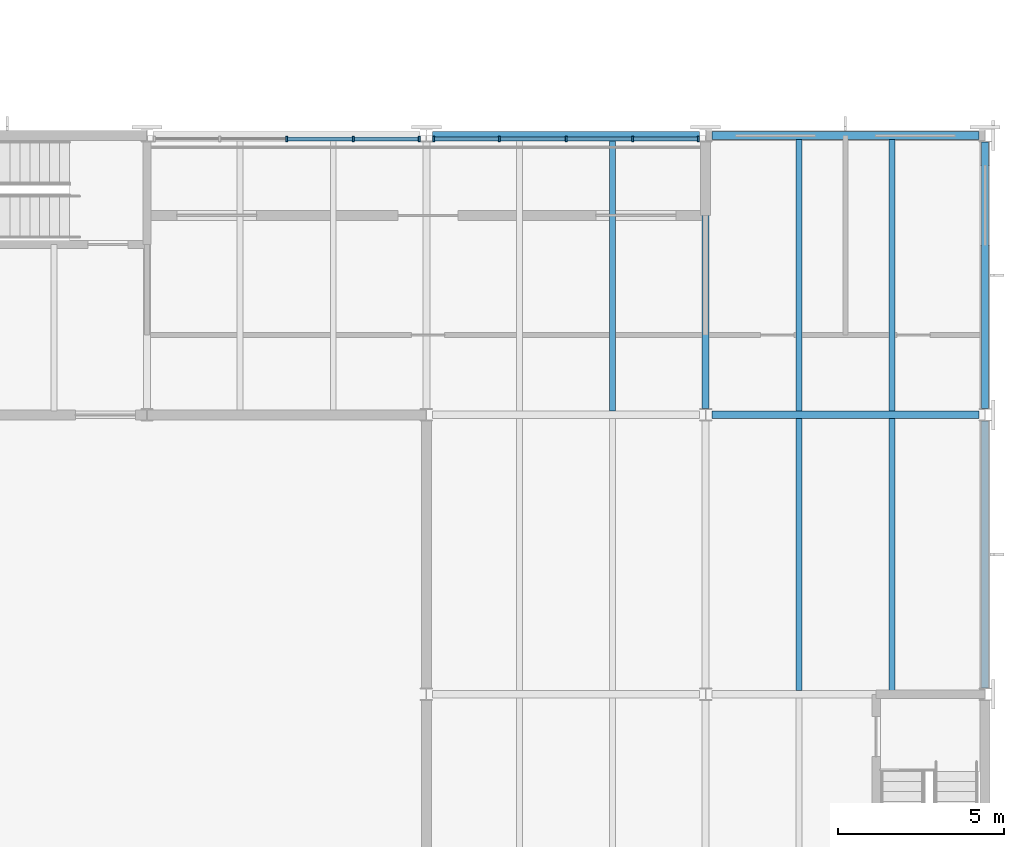
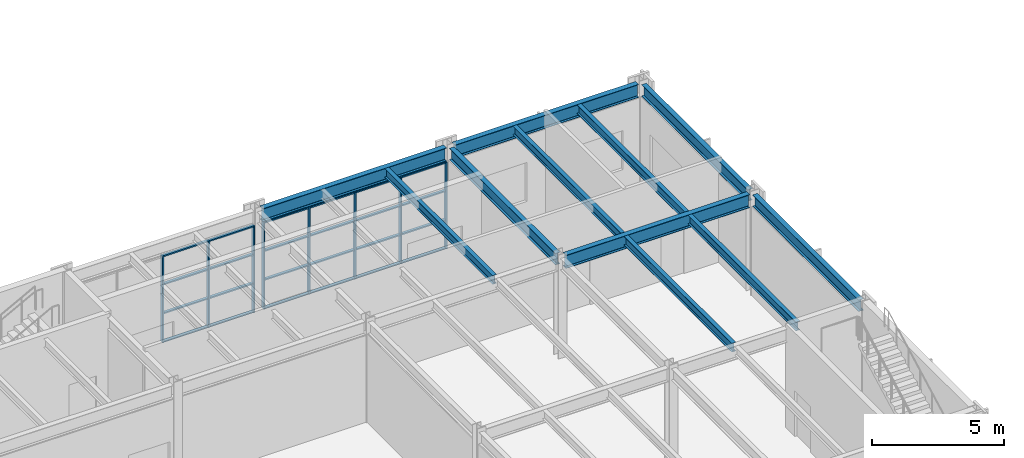
# One storey, part 53 of 127: 32 members, 11 beams, 2 elements without a shape of their own.
"""IFC4 building model written with IfcOpenShell, lengths in metres."""

from ifc_helpers import new_model, si_unit, direction, frame, origin, origin_2d, place, context, subcontext, project, spatial, rectangle, i_section, extrude, material, material_profile, profile_set, type_object, element, aggregate, save


model = new_model("IFC4")

# Units and contexts
model_context = context("Model", 3, precision=1e-05, world=origin(), true_north=direction((0.0, 1.0)))
body_context = subcontext(model_context, "Body", "Model", "MODEL_VIEW")
ifc_project = project(units=[si_unit("LENGTHUNIT", "METRE"), si_unit("AREAUNIT", "SQUARE_METRE"), si_unit("VOLUMEUNIT", "CUBIC_METRE"), si_unit("PLANEANGLEUNIT", "RADIAN"), si_unit("MASSUNIT", "GRAM", prefix="KILO")], contexts=[model_context])

# Site, building, storey
site_placement = place(None, origin())
site = spatial("IfcSite", under=ifc_project, at=site_placement, CompositionType="ELEMENT")
building_placement = place(site_placement, origin())
building = spatial("IfcBuilding", under=site, at=building_placement, Name="Ljudholm Concert House", CompositionType="ELEMENT")
storey_placement = place(building_placement, frame((0.0, 0.0, 5.39990234375)))
storey = spatial("IfcBuildingStorey", under=building, at=storey_placement, Name="L01", CompositionType="ELEMENT", Elevation=5.39990234375)

# Curtain wall, members
ifc_material_1 = material(Name="Aluminium curtain wall with fixed aluminium storm louvre blades, timber-grain finish", Category="aluminium")
curtain_wall_type = type_object("IfcCurtainWallType", Name="CURTAIN WALL 2000", PredefinedType="NOTDEFINED", material=ifc_material_1)
curtain_wall_1_placement = place(storey_placement, origin())
curtain_wall_1 = element("IfcCurtainWall", 1, at=curtain_wall_1_placement, inside=storey, type_object=curtain_wall_type, Name="Storm louvre screen", PredefinedType="NOTDEFINED")
ifc_material_2 = material(Name="Aluminium extrusion", Category="aluminium")
ifc_material_profile_1 = material_profile(ifc_material_2, rectangle(XDim=0.159912109375, YDim=0.06005859375, at=origin_2d()), Name="MULLION 60x160")
ifc_profile_set_1 = profile_set([ifc_material_profile_1], Name="Aluminium extrusion")
member_type_1 = type_object("IfcMemberType", Name="MULLION 60x160", PredefinedType="MULLION", material=ifc_profile_set_1)
member_1_placement = place(storey_placement, frame((100.60009765625, 129.89990234375, 0.0), z_axis=(0.0, 0.0, 1.0), x_axis=(0.0, 1.0, 0.0)))
member_1 = element("IfcMember", 2, at=member_1_placement, type_object=member_type_1, Name="Mullion", PredefinedType="MULLION", context=body_context, shape_type="SweptSolid", body=[
    extrude(rectangle(XDim=0.159912109375, YDim=0.06005859375, at=origin_2d()), origin(), (0.0, 0.0, 1.0), 4.008056640625),
])
member_2_placement = place(storey_placement, frame((102.60498046875, 129.89990234375, 0.0), z_axis=(0.0, 0.0, 1.0), x_axis=(0.0, 1.0, 0.0)))
member_2 = element("IfcMember", 3, at=member_2_placement, type_object=member_type_1, Name="Mullion", PredefinedType="MULLION", context=body_context, shape_type="SweptSolid", body=[
    extrude(rectangle(XDim=0.159912109375, YDim=0.06005859375, at=origin_2d()), origin(), (0.0, 0.0, 1.0), 4.008056640625),
])
member_3_placement = place(storey_placement, frame((104.580078125, 129.89990234375, 0.0), z_axis=(0.0, 0.0, 1.0), x_axis=(0.0, 1.0, 0.0)))
member_3 = element("IfcMember", 4, at=member_3_placement, type_object=member_type_1, Name="Mullion", PredefinedType="MULLION", context=body_context, shape_type="SweptSolid", body=[
    extrude(rectangle(XDim=0.159912109375, YDim=0.06005859375, at=origin_2d()), origin(), (0.0, 0.0, 1.0), 4.008056640625),
])

curtain_wall_2_placement = place(storey_placement, origin())
curtain_wall_2 = element("IfcCurtainWall", 5, at=curtain_wall_2_placement, inside=storey, type_object=curtain_wall_type, Name="Storm louvre screen", PredefinedType="NOTDEFINED")
member_4_placement = place(storey_placement, frame((105.02001953125, 129.89990234375, 0.0), z_axis=(0.0, 0.0, 1.0), x_axis=(0.0, 1.0, 0.0)))
member_4 = element("IfcMember", 6, at=member_4_placement, type_object=member_type_1, Name="Mullion", PredefinedType="MULLION", context=body_context, shape_type="SweptSolid", body=[
    extrude(rectangle(XDim=0.159912109375, YDim=0.06005859375, at=origin_2d()), origin(), (0.0, 0.0, 1.0), 4.008056640625),
])
member_5_placement = place(storey_placement, frame((106.9951171875, 129.89990234375, 0.0), z_axis=(0.0, 0.0, 1.0), x_axis=(0.0, 1.0, 0.0)))
member_5 = element("IfcMember", 7, at=member_5_placement, type_object=member_type_1, Name="Mullion", PredefinedType="MULLION", context=body_context, shape_type="SweptSolid", body=[
    extrude(rectangle(XDim=0.159912109375, YDim=0.06005859375, at=origin_2d()), origin(), (0.0, 0.0, 1.0), 4.008056640625),
])
member_6_placement = place(storey_placement, frame((109.0, 129.89990234375, 0.0), z_axis=(0.0, 0.0, 1.0), x_axis=(0.0, 1.0, 0.0)))
member_6 = element("IfcMember", 8, at=member_6_placement, type_object=member_type_1, Name="Mullion", PredefinedType="MULLION", context=body_context, shape_type="SweptSolid", body=[
    extrude(rectangle(XDim=0.159912109375, YDim=0.06005859375, at=origin_2d()), origin(), (0.0, 0.0, 1.0), 4.008056640625),
])
member_7_placement = place(storey_placement, frame((111.0048828125, 129.89990234375, 0.0), z_axis=(0.0, 0.0, 1.0), x_axis=(0.0, 1.0, 0.0)))
member_7 = element("IfcMember", 9, at=member_7_placement, type_object=member_type_1, Name="Mullion", PredefinedType="MULLION", context=body_context, shape_type="SweptSolid", body=[
    extrude(rectangle(XDim=0.159912109375, YDim=0.06005859375, at=origin_2d()), origin(), (0.0, 0.0, 1.0), 4.008056640625),
])
member_8_placement = place(storey_placement, frame((112.97998046875, 129.89990234375, 0.0), z_axis=(0.0, 0.0, 1.0), x_axis=(0.0, 1.0, 0.0)))
member_8 = element("IfcMember", 10, at=member_8_placement, type_object=member_type_1, Name="Mullion", PredefinedType="MULLION", context=body_context, shape_type="SweptSolid", body=[
    extrude(rectangle(XDim=0.159912109375, YDim=0.06005859375, at=origin_2d()), origin(), (0.0, 0.0, 1.0), 4.008056640625),
])

# Beams
ifc_material_3 = material(Name="Steel ASTM A992", Category="steel")
ifc_material_profile_2 = material_profile(ifc_material_3, i_section(OverallWidth=0.177734375, OverallDepth=0.406494140625, WebThickness=0.0078125, FlangeThickness=0.012939453125, FilletRadius=0.01025390625, at=origin_2d()), Name="W16X40")
ifc_profile_set_2 = profile_set([ifc_material_profile_2], Name="Steel ASTM A992")
beam_type_1 = type_object("IfcBeamType", Name="STEEL BEAM W16X40", PredefinedType="BEAM", material=ifc_profile_set_2)
for number, where, z_axis, x_axis, name in (
    (11, (110.39990234375, 121.714599609375, 4.4169921875), (0.0, 1.0, 0.0), (-1.0, 0.0, 0.0), "Beam STUDIO-L02-sb-110.4-121.6"),
    (12, (116.0, 113.314453125, 4.4169921875), (0.0, 1.0, 0.0), (-1.0, 0.0, 0.0), "Beam STUDIO-L02-sb-116-113.2"),
    (13, (118.800048828125, 113.314453125, 4.4169921875), (0.0, 1.0, 0.0), (-1.0, 0.0, 0.0), "Beam STUDIO-L02-sb-118.8-113.2"),
    (14, (116.0, 121.714599609375, 4.4169921875), (0.0, 1.0, 0.0), (-1.0, 0.0, 0.0), "Beam STUDIO-L02-sb-116-121.6"),
    (15, (118.800048828125, 121.714599609375, 4.4169921875), (0.0, 1.0, 0.0), (-1.0, 0.0, 0.0), "Beam STUDIO-L02-sb-118.8-121.6"),
):
    element("IfcBeam", number, at=place(storey_placement, frame(where, z_axis=z_axis, x_axis=x_axis)), inside=storey, type_object=beam_type_1, Name=name, PredefinedType="BEAM", context=body_context, shape_type="SweptSolid", body=[
        extrude(i_section(OverallWidth=0.177734375, OverallDepth=0.406494140625, WebThickness=0.0078125, FlangeThickness=0.012939453125, FilletRadius=0.01025390625, at=origin_2d()), origin(), (0.0, 0.0, 1.0), 8.1708984375),
    ])
ifc_material_4 = material(Name="Steel ASTM A992", Category="steel")
ifc_material_profile_3 = material_profile(ifc_material_4, i_section(OverallWidth=0.209228515625, OverallDepth=0.533447265625, WebThickness=0.01025390625, FlangeThickness=0.015625, FilletRadius=0.012939453125, at=origin_2d()), Name="W21X62")
ifc_profile_set_3 = profile_set([ifc_material_profile_3], Name="Steel ASTM A992")
beam_type_2 = type_object("IfcBeamType", Name="STEEL BEAM W21X62", PredefinedType="BEAM", material=ifc_profile_set_3)
for number, where, z_axis, x_axis, name in (
    (16, (113.199951171875, 121.78662109375, 4.353515625), (0.0, 1.0, 0.0), (-1.0, 0.0, 0.0), "Beam STUDIO-L02-gy-113.2-121.6"),
    (17, (121.60009765625, 113.38671875, 4.353515625), (0.0, 1.0, 0.0), (-1.0, 0.0, 0.0), "Beam STUDIO-L02-gy-121.6-113.2"),
    (18, (121.60009765625, 121.78662109375, 4.353515625), (0.0, 1.0, 0.0), (-1.0, 0.0, 0.0), "Beam STUDIO-L02-gy-121.6-121.6"),
):
    element("IfcBeam", number, at=place(storey_placement, frame(where, z_axis=z_axis, x_axis=x_axis)), inside=storey, type_object=beam_type_2, Name=name, PredefinedType="BEAM", context=body_context, shape_type="SweptSolid", body=[
        extrude(i_section(OverallWidth=0.209228515625, OverallDepth=0.533447265625, WebThickness=0.01025390625, FlangeThickness=0.015625, FilletRadius=0.012939453125, at=origin_2d()), origin(), (0.0, 0.0, 1.0), 8.026611328125),
    ])
ifc_material_5 = material(Name="Steel ASTM A992", Category="steel")
ifc_material_profile_4 = material_profile(ifc_material_5, i_section(OverallWidth=0.22900390625, OverallDepth=0.612060546875, WebThickness=0.011962890625, FlangeThickness=0.01953125, FilletRadius=0.0126953125, at=origin_2d()), Name="W24X84")
ifc_profile_set_4 = profile_set([ifc_material_profile_4], Name="Steel ASTM A992")
beam_type_3 = type_object("IfcBeamType", Name="STEEL BEAM W24X84", PredefinedType="BEAM", material=ifc_profile_set_4)
beam_1_placement = place(storey_placement, frame((113.38671875, 121.60009765625, 4.31396484375), z_axis=(1.0, 0.0, 0.0), x_axis=(0.0, 1.0, 0.0)))
element("IfcBeam", 19, at=beam_1_placement, inside=storey, type_object=beam_type_3, Name="Beam STUDIO-L02-gx-113.2-121.6", PredefinedType="BEAM", context=body_context, shape_type="SweptSolid", body=[
    extrude(i_section(OverallWidth=0.22900390625, OverallDepth=0.612060546875, WebThickness=0.011962890625, FlangeThickness=0.01953125, FilletRadius=0.0126953125, at=origin_2d()), origin(), (0.0, 0.0, 1.0), 8.026611328125),
])
beam_2_placement = place(storey_placement, frame((104.986572265625, 130.0, 4.31396484375), z_axis=(1.0, 0.0, 0.0), x_axis=(0.0, 1.0, 0.0)))
element("IfcBeam", 20, at=beam_2_placement, inside=storey, type_object=beam_type_3, Name="Beam STUDIO-L02-gx-104.8-130", PredefinedType="BEAM", context=body_context, shape_type="SweptSolid", body=[
    extrude(i_section(OverallWidth=0.22900390625, OverallDepth=0.612060546875, WebThickness=0.011962890625, FlangeThickness=0.01953125, FilletRadius=0.0126953125, at=origin_2d()), origin(), (0.0, 0.0, 1.0), 8.02685546875),
])
beam_3_placement = place(storey_placement, frame((113.38671875, 130.0, 4.31396484375), z_axis=(1.0, 0.0, 0.0), x_axis=(0.0, 1.0, 0.0)))
element("IfcBeam", 21, at=beam_3_placement, inside=storey, type_object=beam_type_3, Name="Beam STUDIO-L02-gx-113.2-130", PredefinedType="BEAM", context=body_context, shape_type="SweptSolid", body=[
    extrude(i_section(OverallWidth=0.22900390625, OverallDepth=0.612060546875, WebThickness=0.011962890625, FlangeThickness=0.01953125, FilletRadius=0.0126953125, at=origin_2d()), origin(), (0.0, 0.0, 1.0), 8.026611328125),
])

# Member
ifc_material_6 = material(Name="Aluminium extrusion", Category="aluminium")
ifc_material_profile_5 = material_profile(ifc_material_6, rectangle(XDim=0.1201171875, YDim=0.06005859375, at=origin_2d()), Name="TRANSOM 60x120")
ifc_profile_set_5 = profile_set([ifc_material_profile_5], Name="Aluminium extrusion")
member_type_2 = type_object("IfcMemberType", Name="TRANSOM 60x120", PredefinedType="USERDEFINED", material=ifc_profile_set_5)
member_9_placement = place(storey_placement, frame((100.6298828125, 129.89990234375, 0.030029296875), z_axis=(1.0, 0.0, 0.0), x_axis=(0.0, 1.0, 0.0)))
member_9 = element("IfcMember", 22, at=member_9_placement, type_object=member_type_2, Name="Transom", ObjectType="TRANSOM", PredefinedType="USERDEFINED", context=body_context, shape_type="SweptSolid", body=[
    extrude(rectangle(XDim=0.1201171875, YDim=0.06005859375, at=origin_2d()), origin(), (0.0, 0.0, 1.0), 1.945068359375),
])

member_10_placement = place(storey_placement, frame((100.6298828125, 129.89990234375, 1.3359375), z_axis=(1.0, 0.0, 0.0), x_axis=(0.0, 1.0, 0.0)))
member_10 = element("IfcMember", 23, at=member_10_placement, type_object=member_type_2, Name="Transom", ObjectType="TRANSOM", PredefinedType="USERDEFINED", context=body_context, shape_type="SweptSolid", body=[
    extrude(rectangle(XDim=0.1201171875, YDim=0.06005859375, at=origin_2d()), origin(), (0.0, 0.0, 1.0), 1.945068359375),
])

member_11_placement = place(storey_placement, frame((100.6298828125, 129.89990234375, 2.672119140625), z_axis=(1.0, 0.0, 0.0), x_axis=(0.0, 1.0, 0.0)))
member_11 = element("IfcMember", 24, at=member_11_placement, type_object=member_type_2, Name="Transom", ObjectType="TRANSOM", PredefinedType="USERDEFINED", context=body_context, shape_type="SweptSolid", body=[
    extrude(rectangle(XDim=0.1201171875, YDim=0.06005859375, at=origin_2d()), origin(), (0.0, 0.0, 1.0), 1.945068359375),
])

member_12_placement = place(storey_placement, frame((100.6298828125, 129.89990234375, 3.97802734375), z_axis=(1.0, 0.0, 0.0), x_axis=(0.0, 1.0, 0.0)))
member_12 = element("IfcMember", 25, at=member_12_placement, type_object=member_type_2, Name="Transom", ObjectType="TRANSOM", PredefinedType="USERDEFINED", context=body_context, shape_type="SweptSolid", body=[
    extrude(rectangle(XDim=0.1201171875, YDim=0.06005859375, at=origin_2d()), origin(), (0.0, 0.0, 1.0), 1.945068359375),
])

member_13_placement = place(storey_placement, frame((102.635009765625, 129.89990234375, 0.030029296875), z_axis=(1.0, 0.0, 0.0), x_axis=(0.0, 1.0, 0.0)))
member_13 = element("IfcMember", 26, at=member_13_placement, type_object=member_type_2, Name="Transom", ObjectType="TRANSOM", PredefinedType="USERDEFINED", context=body_context, shape_type="SweptSolid", body=[
    extrude(rectangle(XDim=0.1201171875, YDim=0.06005859375, at=origin_2d()), origin(), (0.0, 0.0, 1.0), 1.9150390625),
])

member_14_placement = place(storey_placement, frame((102.635009765625, 129.89990234375, 1.3359375), z_axis=(1.0, 0.0, 0.0), x_axis=(0.0, 1.0, 0.0)))
member_14 = element("IfcMember", 27, at=member_14_placement, type_object=member_type_2, Name="Transom", ObjectType="TRANSOM", PredefinedType="USERDEFINED", context=body_context, shape_type="SweptSolid", body=[
    extrude(rectangle(XDim=0.1201171875, YDim=0.06005859375, at=origin_2d()), origin(), (0.0, 0.0, 1.0), 1.9150390625),
])

member_15_placement = place(storey_placement, frame((102.635009765625, 129.89990234375, 2.672119140625), z_axis=(1.0, 0.0, 0.0), x_axis=(0.0, 1.0, 0.0)))
member_15 = element("IfcMember", 28, at=member_15_placement, type_object=member_type_2, Name="Transom", ObjectType="TRANSOM", PredefinedType="USERDEFINED", context=body_context, shape_type="SweptSolid", body=[
    extrude(rectangle(XDim=0.1201171875, YDim=0.06005859375, at=origin_2d()), origin(), (0.0, 0.0, 1.0), 1.9150390625),
])

member_16_placement = place(storey_placement, frame((102.635009765625, 129.89990234375, 3.97802734375), z_axis=(1.0, 0.0, 0.0), x_axis=(0.0, 1.0, 0.0)))
member_16 = element("IfcMember", 29, at=member_16_placement, type_object=member_type_2, Name="Transom", ObjectType="TRANSOM", PredefinedType="USERDEFINED", context=body_context, shape_type="SweptSolid", body=[
    extrude(rectangle(XDim=0.1201171875, YDim=0.06005859375, at=origin_2d()), origin(), (0.0, 0.0, 1.0), 1.9150390625),
])

aggregate(curtain_wall_1, [member_1, member_2, member_3, member_9, member_10, member_11, member_12, member_13, member_14, member_15, member_16])

member_17_placement = place(storey_placement, frame((105.050048828125, 129.89990234375, 0.030029296875), z_axis=(1.0, 0.0, 0.0), x_axis=(0.0, 1.0, 0.0)))
member_17 = element("IfcMember", 30, at=member_17_placement, type_object=member_type_2, Name="Transom", ObjectType="TRANSOM", PredefinedType="USERDEFINED", context=body_context, shape_type="SweptSolid", body=[
    extrude(rectangle(XDim=0.1201171875, YDim=0.06005859375, at=origin_2d()), origin(), (0.0, 0.0, 1.0), 1.9150390625),
])

member_18_placement = place(storey_placement, frame((105.050048828125, 129.89990234375, 1.3359375), z_axis=(1.0, 0.0, 0.0), x_axis=(0.0, 1.0, 0.0)))
member_18 = element("IfcMember", 31, at=member_18_placement, type_object=member_type_2, Name="Transom", ObjectType="TRANSOM", PredefinedType="USERDEFINED", context=body_context, shape_type="SweptSolid", body=[
    extrude(rectangle(XDim=0.1201171875, YDim=0.06005859375, at=origin_2d()), origin(), (0.0, 0.0, 1.0), 1.9150390625),
])

member_19_placement = place(storey_placement, frame((105.050048828125, 129.89990234375, 2.672119140625), z_axis=(1.0, 0.0, 0.0), x_axis=(0.0, 1.0, 0.0)))
member_19 = element("IfcMember", 32, at=member_19_placement, type_object=member_type_2, Name="Transom", ObjectType="TRANSOM", PredefinedType="USERDEFINED", context=body_context, shape_type="SweptSolid", body=[
    extrude(rectangle(XDim=0.1201171875, YDim=0.06005859375, at=origin_2d()), origin(), (0.0, 0.0, 1.0), 1.9150390625),
])

member_20_placement = place(storey_placement, frame((105.050048828125, 129.89990234375, 3.97802734375), z_axis=(1.0, 0.0, 0.0), x_axis=(0.0, 1.0, 0.0)))
member_20 = element("IfcMember", 33, at=member_20_placement, type_object=member_type_2, Name="Transom", ObjectType="TRANSOM", PredefinedType="USERDEFINED", context=body_context, shape_type="SweptSolid", body=[
    extrude(rectangle(XDim=0.1201171875, YDim=0.06005859375, at=origin_2d()), origin(), (0.0, 0.0, 1.0), 1.9150390625),
])

member_21_placement = place(storey_placement, frame((107.02490234375, 129.89990234375, 0.030029296875), z_axis=(1.0, 0.0, 0.0), x_axis=(0.0, 1.0, 0.0)))
member_21 = element("IfcMember", 34, at=member_21_placement, type_object=member_type_2, Name="Transom", ObjectType="TRANSOM", PredefinedType="USERDEFINED", context=body_context, shape_type="SweptSolid", body=[
    extrude(rectangle(XDim=0.1201171875, YDim=0.06005859375, at=origin_2d()), origin(), (0.0, 0.0, 1.0), 1.945068359375),
])

member_22_placement = place(storey_placement, frame((107.02490234375, 129.89990234375, 1.3359375), z_axis=(1.0, 0.0, 0.0), x_axis=(0.0, 1.0, 0.0)))
member_22 = element("IfcMember", 35, at=member_22_placement, type_object=member_type_2, Name="Transom", ObjectType="TRANSOM", PredefinedType="USERDEFINED", context=body_context, shape_type="SweptSolid", body=[
    extrude(rectangle(XDim=0.1201171875, YDim=0.06005859375, at=origin_2d()), origin(), (0.0, 0.0, 1.0), 1.945068359375),
])

member_23_placement = place(storey_placement, frame((107.02490234375, 129.89990234375, 2.672119140625), z_axis=(1.0, 0.0, 0.0), x_axis=(0.0, 1.0, 0.0)))
member_23 = element("IfcMember", 36, at=member_23_placement, type_object=member_type_2, Name="Transom", ObjectType="TRANSOM", PredefinedType="USERDEFINED", context=body_context, shape_type="SweptSolid", body=[
    extrude(rectangle(XDim=0.1201171875, YDim=0.06005859375, at=origin_2d()), origin(), (0.0, 0.0, 1.0), 1.945068359375),
])

member_24_placement = place(storey_placement, frame((107.02490234375, 129.89990234375, 3.97802734375), z_axis=(1.0, 0.0, 0.0), x_axis=(0.0, 1.0, 0.0)))
member_24 = element("IfcMember", 37, at=member_24_placement, type_object=member_type_2, Name="Transom", ObjectType="TRANSOM", PredefinedType="USERDEFINED", context=body_context, shape_type="SweptSolid", body=[
    extrude(rectangle(XDim=0.1201171875, YDim=0.06005859375, at=origin_2d()), origin(), (0.0, 0.0, 1.0), 1.945068359375),
])

member_25_placement = place(storey_placement, frame((109.030029296875, 129.89990234375, 0.030029296875), z_axis=(1.0, 0.0, 0.0), x_axis=(0.0, 1.0, 0.0)))
member_25 = element("IfcMember", 38, at=member_25_placement, type_object=member_type_2, Name="Transom", ObjectType="TRANSOM", PredefinedType="USERDEFINED", context=body_context, shape_type="SweptSolid", body=[
    extrude(rectangle(XDim=0.1201171875, YDim=0.06005859375, at=origin_2d()), origin(), (0.0, 0.0, 1.0), 1.945068359375),
])

member_26_placement = place(storey_placement, frame((109.030029296875, 129.89990234375, 1.3359375), z_axis=(1.0, 0.0, 0.0), x_axis=(0.0, 1.0, 0.0)))
member_26 = element("IfcMember", 39, at=member_26_placement, type_object=member_type_2, Name="Transom", ObjectType="TRANSOM", PredefinedType="USERDEFINED", context=body_context, shape_type="SweptSolid", body=[
    extrude(rectangle(XDim=0.1201171875, YDim=0.06005859375, at=origin_2d()), origin(), (0.0, 0.0, 1.0), 1.945068359375),
])

member_27_placement = place(storey_placement, frame((109.030029296875, 129.89990234375, 2.672119140625), z_axis=(1.0, 0.0, 0.0), x_axis=(0.0, 1.0, 0.0)))
member_27 = element("IfcMember", 40, at=member_27_placement, type_object=member_type_2, Name="Transom", ObjectType="TRANSOM", PredefinedType="USERDEFINED", context=body_context, shape_type="SweptSolid", body=[
    extrude(rectangle(XDim=0.1201171875, YDim=0.06005859375, at=origin_2d()), origin(), (0.0, 0.0, 1.0), 1.945068359375),
])

member_28_placement = place(storey_placement, frame((109.030029296875, 129.89990234375, 3.97802734375), z_axis=(1.0, 0.0, 0.0), x_axis=(0.0, 1.0, 0.0)))
member_28 = element("IfcMember", 41, at=member_28_placement, type_object=member_type_2, Name="Transom", ObjectType="TRANSOM", PredefinedType="USERDEFINED", context=body_context, shape_type="SweptSolid", body=[
    extrude(rectangle(XDim=0.1201171875, YDim=0.06005859375, at=origin_2d()), origin(), (0.0, 0.0, 1.0), 1.945068359375),
])

member_29_placement = place(storey_placement, frame((111.034912109375, 129.89990234375, 0.030029296875), z_axis=(1.0, 0.0, 0.0), x_axis=(0.0, 1.0, 0.0)))
member_29 = element("IfcMember", 42, at=member_29_placement, type_object=member_type_2, Name="Transom", ObjectType="TRANSOM", PredefinedType="USERDEFINED", context=body_context, shape_type="SweptSolid", body=[
    extrude(rectangle(XDim=0.1201171875, YDim=0.06005859375, at=origin_2d()), origin(), (0.0, 0.0, 1.0), 1.9150390625),
])

member_30_placement = place(storey_placement, frame((111.034912109375, 129.89990234375, 1.3359375), z_axis=(1.0, 0.0, 0.0), x_axis=(0.0, 1.0, 0.0)))
member_30 = element("IfcMember", 43, at=member_30_placement, type_object=member_type_2, Name="Transom", ObjectType="TRANSOM", PredefinedType="USERDEFINED", context=body_context, shape_type="SweptSolid", body=[
    extrude(rectangle(XDim=0.1201171875, YDim=0.06005859375, at=origin_2d()), origin(), (0.0, 0.0, 1.0), 1.9150390625),
])

member_31_placement = place(storey_placement, frame((111.034912109375, 129.89990234375, 2.672119140625), z_axis=(1.0, 0.0, 0.0), x_axis=(0.0, 1.0, 0.0)))
member_31 = element("IfcMember", 44, at=member_31_placement, type_object=member_type_2, Name="Transom", ObjectType="TRANSOM", PredefinedType="USERDEFINED", context=body_context, shape_type="SweptSolid", body=[
    extrude(rectangle(XDim=0.1201171875, YDim=0.06005859375, at=origin_2d()), origin(), (0.0, 0.0, 1.0), 1.9150390625),
])

member_32_placement = place(storey_placement, frame((111.034912109375, 129.89990234375, 3.97802734375), z_axis=(1.0, 0.0, 0.0), x_axis=(0.0, 1.0, 0.0)))
member_32 = element("IfcMember", 45, at=member_32_placement, type_object=member_type_2, Name="Transom", ObjectType="TRANSOM", PredefinedType="USERDEFINED", context=body_context, shape_type="SweptSolid", body=[
    extrude(rectangle(XDim=0.1201171875, YDim=0.06005859375, at=origin_2d()), origin(), (0.0, 0.0, 1.0), 1.9150390625),
])

aggregate(curtain_wall_2, [member_4, member_5, member_6, member_7, member_8, member_17, member_18, member_19, member_20, member_21, member_22, member_23, member_24, member_25, member_26, member_27, member_28, member_29, member_30, member_31, member_32])

save(model, "model.ifc")
